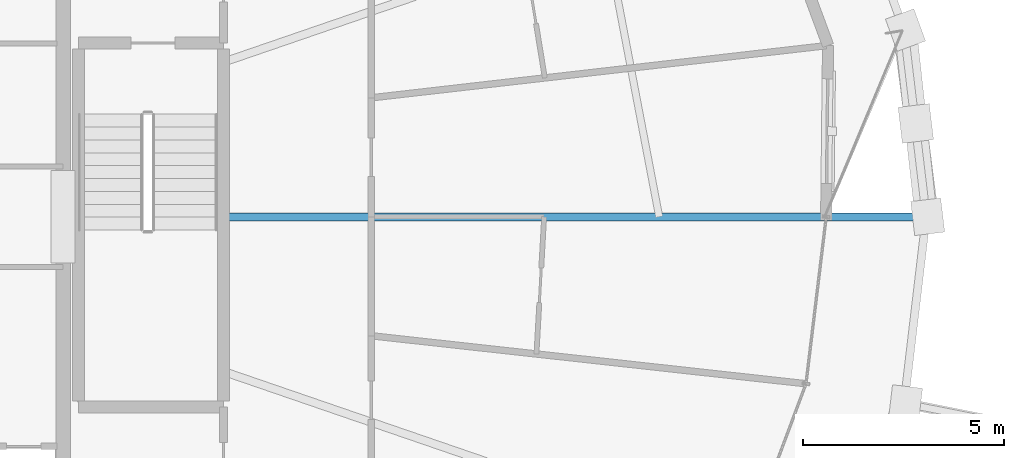
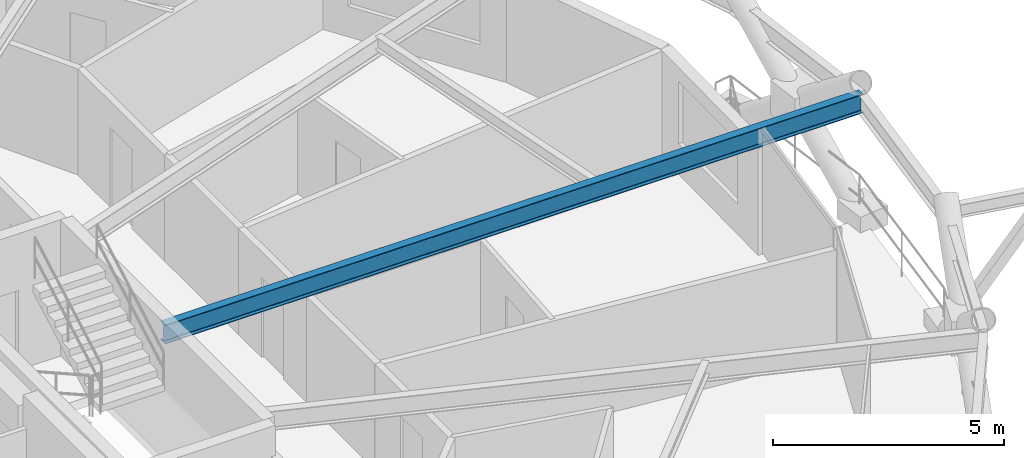
# One storey, part 10 of 21: 1 beam.
"""IFC4 building model written with IfcOpenShell, lengths in metres."""

from ifc_helpers import new_model, si_unit, direction, frame, origin, origin_2d, place, context, subcontext, project, spatial, i_section, extrude, material, material_profile, profile_set, type_object, element, save


model = new_model("IFC4")

# Units and contexts
model_context = context("Model", 3, precision=1e-05, world=origin(), true_north=direction((0.0, 1.0)))
body_context = subcontext(model_context, "Body", "Model", "MODEL_VIEW")
ifc_project = project(units=[si_unit("LENGTHUNIT", "METRE"), si_unit("AREAUNIT", "SQUARE_METRE"), si_unit("VOLUMEUNIT", "CUBIC_METRE"), si_unit("PLANEANGLEUNIT", "RADIAN"), si_unit("MASSUNIT", "GRAM", prefix="KILO")], contexts=[model_context])

# Site, building, storey
site_placement = place(None, origin())
site = spatial("IfcSite", under=ifc_project, at=site_placement, CompositionType="ELEMENT")
building_placement = place(site_placement, origin())
building = spatial("IfcBuilding", under=site, at=building_placement, Name="Veldorina Hangang Commons", CompositionType="ELEMENT")
storey_placement = place(building_placement, frame((0.0, 0.0, 120.800048828125)))
storey = spatial("IfcBuildingStorey", under=building, at=storey_placement, Name="L30", CompositionType="ELEMENT", Elevation=120.800048828125)

# Beam
ifc_material = material(Name="Steel SM420-TMC", Category="steel")
ifc_material_profile = material_profile(ifc_material, i_section(OverallWidth=0.199951171875, OverallDepth=0.5, WebThickness=0.010009765625, FlangeThickness=0.01611328125, FilletRadius=0.01611328125, at=origin_2d()), Name="H-500x200x10x16")
ifc_profile_set = profile_set([ifc_material_profile], Name="Steel SM420-TMC")
beam_type = type_object("IfcBeamType", Name="BM-FG500", PredefinedType="BEAM", material=ifc_profile_set)
beam_placement = place(storey_placement, frame((43.179931640625, 24.0, 3.099853515625), z_axis=(1.0, 0.0, 0.0), x_axis=(0.0, 1.0, 0.0)))
element("IfcBeam", 1, at=beam_placement, inside=storey, type_object=beam_type, Name="L30 radial floor girder 01", PredefinedType="BEAM", context=body_context, shape_type="SweptSolid", body=[
    extrude(i_section(OverallWidth=0.199951171875, OverallDepth=0.5, WebThickness=0.010009765625, FlangeThickness=0.01611328125, FilletRadius=0.01611328125, at=origin_2d()), origin(), (0.0, 0.0, 1.0), 17.4521484375),
])

save(model, "model.ifc")
